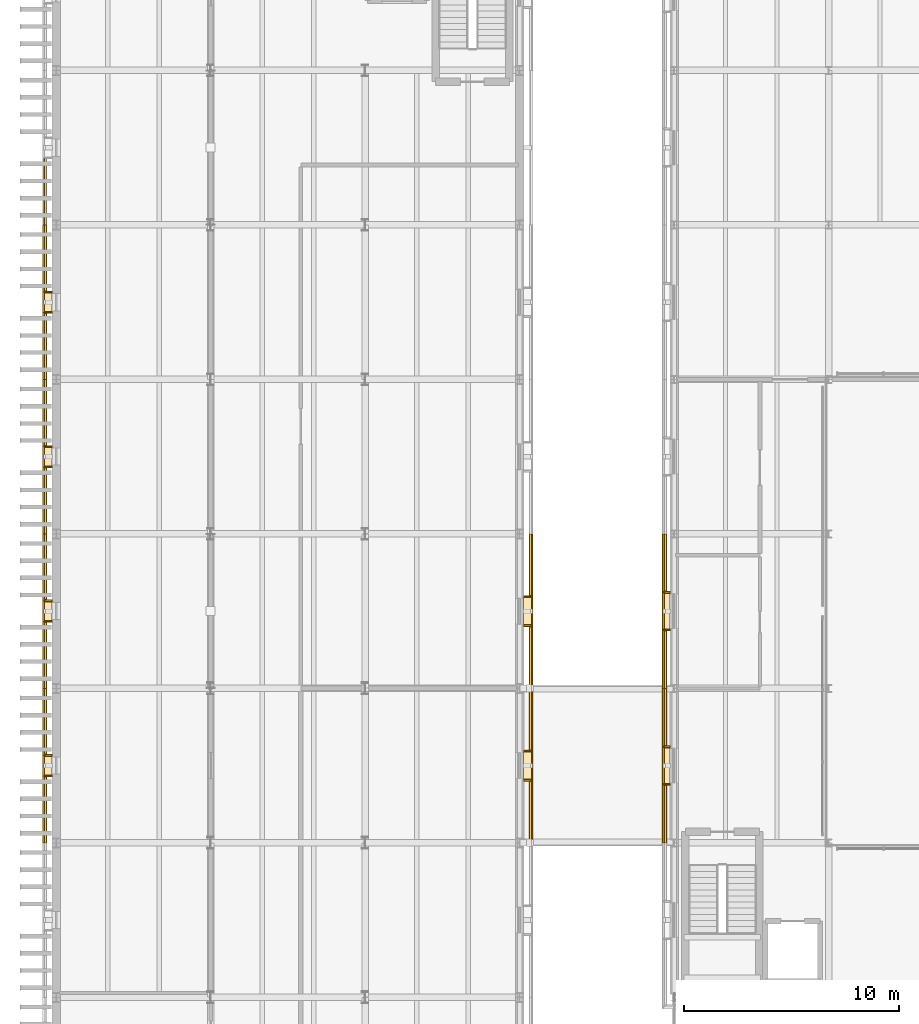
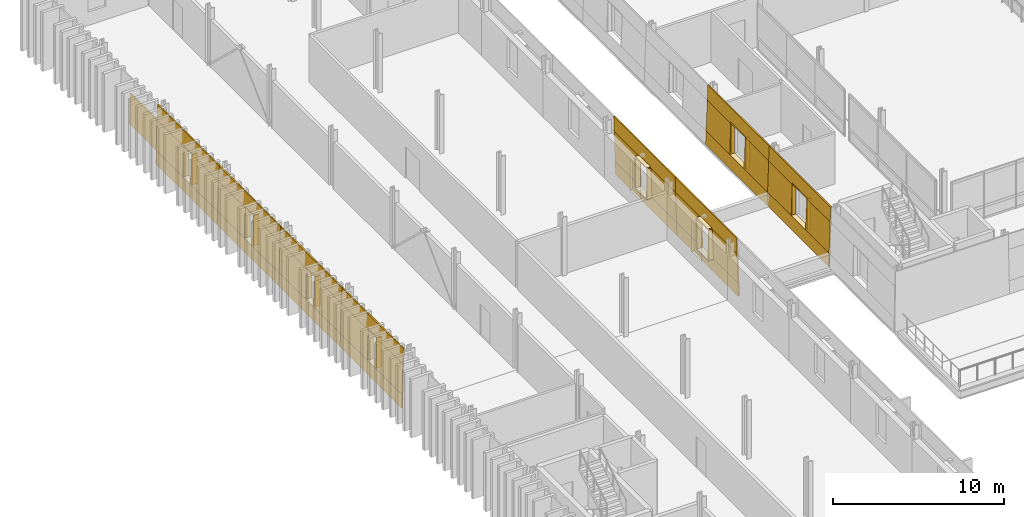
# One storey, part 80 of 91: 65 coverings.
"""IFC4 building model written with IfcOpenShell, lengths in metres."""

from ifc_helpers import new_model, si_unit, direction, frame, origin, place, context, subcontext, project, spatial, polyline, outline, extrude, material, layer, layer_set, type_object, element, save


model = new_model("IFC4")

# Units and contexts
model_context = context("Model", 3, precision=1e-05, world=origin(), true_north=direction((0.0, 1.0)))
body_context = subcontext(model_context, "Body", "Model", "MODEL_VIEW")
ifc_project = project(units=[si_unit("LENGTHUNIT", "METRE"), si_unit("AREAUNIT", "SQUARE_METRE"), si_unit("VOLUMEUNIT", "CUBIC_METRE"), si_unit("PLANEANGLEUNIT", "RADIAN"), si_unit("MASSUNIT", "GRAM", prefix="KILO")], contexts=[model_context])

# Site, building, storey
site_placement = place(None, origin())
site = spatial("IfcSite", under=ifc_project, at=site_placement, CompositionType="ELEMENT")
building_placement = place(site_placement, origin())
building = spatial("IfcBuilding", under=site, at=building_placement, Name="Narikvali Park Central Library", CompositionType="ELEMENT")
storey_placement = place(building_placement, frame((0.0, 0.0, 14.39990234375)))
storey = spatial("IfcBuildingStorey", under=building, at=storey_placement, Name="L03", CompositionType="ELEMENT", Elevation=14.39990234375)

# Coverings
ifc_material = material(Name="White Honed Limestone Cladding", Category="masonry")
ifc_layer_1 = layer(ifc_material, 0.0849609375, Name="White Honed Limestone Cladding")
ifc_layer_set_1 = layer_set([ifc_layer_1], Name="White Honed Limestone Cladding")
covering_type_1 = type_object("IfcCoveringType", Name="Battered White Limestone Facade Cladding Panel", PredefinedType="CLADDING", material=ifc_layer_set_1)
covering_1_placement = place(storey_placement, frame((28.2451171875, 79.199951171875, 0.0), z_axis=(-0.999434023877, 0.0, 0.033639737186), x_axis=(0.0, -1.0, 0.0)))
element("IfcCovering", 1, at=covering_1_placement, inside=storey, type_object=covering_type_1, Name="V4 L03 W Battered Limestone Spandrel B06", PredefinedType="CLADDING", context=body_context, shape_type="SweptSolid", body=[
    extrude(outline(polyline([(0.0, 0.0), (7.199951171875, 0.0), (7.199951171875, 0.9507334049069504), (0.0, 0.9507334049069504), (0.0, 0.0)])), origin(), (0.0, 0.0, -1.0), 0.0849609375),
])
covering_2_placement = place(storey_placement, frame((28.351318359375, 79.199951171875, 3.150146484375), z_axis=(-0.999439995942, 0.0, 0.033461836646), x_axis=(0.0, -1.0, 0.0)))
element("IfcCovering", 2, at=covering_2_placement, inside=storey, type_object=covering_type_1, Name="V4 L03 W Battered Limestone Lintel B06", PredefinedType="CLADDING", context=body_context, shape_type="SweptSolid", body=[
    extrude(outline(polyline([(0.0, 0.0), (7.199951171875, 0.0), (7.199951171875, 1.0506371892145967), (0.0, 1.0506371892145967), (0.0, 0.0)])), origin(), (0.0, 0.0, -1.0), 0.0849609375),
])
for number, where, z_axis, x_axis, name in (
    (3, (28.277099609375, 79.199951171875, 0.9501953125), (-0.999431408105, 0.0, 0.033717361898), (0.0, -1.0, 0.0), "V4 L03 W Battered Limestone Jamb Pier L B06"),
    (4, (28.277099609375, 74.760009765625, 0.9501953125), (-0.999431408105, 0.0, 0.033717361898), (0.0, -1.0, 0.0), "V4 L03 W Battered Limestone Jamb Pier R B06"),
):
    element("IfcCovering", number, at=place(storey_placement, frame(where, z_axis=z_axis, x_axis=x_axis)), inside=storey, type_object=covering_type_1, Name=name, PredefinedType="CLADDING", context=body_context, shape_type="SweptSolid", body=[
        extrude(outline(polyline([(0.0, 0.0), (2.760009765625, 0.0), (2.760009765625, 2.2012027579225295), (0.0, 2.2012027579225295), (0.0, 0.0)])), origin(), (0.0, 0.0, -1.0), 0.0849609375),
    ])
covering_3_placement = place(storey_placement, frame((28.2451171875, 72.0, 0.0), z_axis=(-0.999434023877, 0.0, 0.033639737186), x_axis=(0.0, -1.0, 0.0)))
element("IfcCovering", 5, at=covering_3_placement, inside=storey, type_object=covering_type_1, Name="V4 L03 W Battered Limestone Spandrel B07", PredefinedType="CLADDING", context=body_context, shape_type="SweptSolid", body=[
    extrude(outline(polyline([(0.0, 0.0), (7.199951171875, 0.0), (7.199951171875, 0.9507334049069504), (0.0, 0.9507334049069504), (0.0, 0.0)])), origin(), (0.0, 0.0, -1.0), 0.0849609375),
])
covering_4_placement = place(storey_placement, frame((28.351318359375, 72.0, 3.150146484375), z_axis=(-0.999439995942, 0.0, 0.033461836646), x_axis=(0.0, -1.0, 0.0)))
element("IfcCovering", 6, at=covering_4_placement, inside=storey, type_object=covering_type_1, Name="V4 L03 W Battered Limestone Lintel B07", PredefinedType="CLADDING", context=body_context, shape_type="SweptSolid", body=[
    extrude(outline(polyline([(0.0, 0.0), (7.199951171875, 0.0), (7.199951171875, 1.0506371892145967), (0.0, 1.0506371892145967), (0.0, 0.0)])), origin(), (0.0, 0.0, -1.0), 0.0849609375),
])
for number, where, z_axis, x_axis, name in (
    (7, (28.277099609375, 72.0, 0.9501953125), (-0.999431408105, 0.0, 0.033717361898), (0.0, -1.0, 0.0), "V4 L03 W Battered Limestone Jamb Pier L B07"),
    (8, (28.277099609375, 67.56005859375, 0.9501953125), (-0.999431408105, 0.0, 0.033717361898), (0.0, -1.0, 0.0), "V4 L03 W Battered Limestone Jamb Pier R B07"),
):
    element("IfcCovering", number, at=place(storey_placement, frame(where, z_axis=z_axis, x_axis=x_axis)), inside=storey, type_object=covering_type_1, Name=name, PredefinedType="CLADDING", context=body_context, shape_type="SweptSolid", body=[
        extrude(outline(polyline([(0.0, 0.0), (2.760009765625, 0.0), (2.760009765625, 2.2012027579225295), (0.0, 2.2012027579225295), (0.0, 0.0)])), origin(), (0.0, 0.0, -1.0), 0.0849609375),
    ])
covering_5_placement = place(storey_placement, frame((22.2314453125, 64.800048828125, 0.0), z_axis=(0.999600837605, 0.0, 0.028251822234), x_axis=(0.0, 1.0, 0.0)))
element("IfcCovering", 9, at=covering_5_placement, inside=storey, type_object=covering_type_1, Name="V5 L03 E Battered Limestone Spandrel B06", PredefinedType="CLADDING", context=body_context, shape_type="SweptSolid", body=[
    extrude(outline(polyline([(0.0, 0.0), (7.199951171875, 0.0), (7.199951171875, 0.9505747461924048), (0.0, 0.9505747461924048), (0.0, 0.0)])), origin(), (0.0, 0.0, -1.0), 0.0849609375),
])
covering_6_placement = place(storey_placement, frame((22.1435546875, 64.800048828125, 3.10009765625), z_axis=(0.999596777432, 0.0, 0.028395114849), x_axis=(0.0, 1.0, 0.0)))
element("IfcCovering", 10, at=covering_6_placement, inside=storey, type_object=covering_type_1, Name="V5 L03 E Battered Limestone Lintel B06", PredefinedType="CLADDING", context=body_context, shape_type="SweptSolid", body=[
    extrude(outline(polyline([(0.0, 0.0), (7.199951171875, 0.0), (7.199951171875, 1.1005414193871774), (0.0, 1.1005414193871774), (0.0, 0.0)])), origin(), (0.0, 0.0, -1.0), 0.0849609375),
])
for number, where, z_axis, x_axis, name in (
    (11, (22.20458984375, 64.800048828125, 0.9501953125), (0.99959725493, 0.0, 0.028378300447), (0.0, 1.0, 0.0), "V5 L03 E Battered Limestone Jamb Pier L B06"),
    (12, (22.20458984375, 69.0400390625, 0.9501953125), (0.99959725493, 0.0, 0.028378300447), (0.0, 1.0, 0.0), "V5 L03 E Battered Limestone Jamb Pier R B06"),
):
    element("IfcCovering", number, at=place(storey_placement, frame(where, z_axis=z_axis, x_axis=x_axis)), inside=storey, type_object=covering_type_1, Name=name, PredefinedType="CLADDING", context=body_context, shape_type="SweptSolid", body=[
        extrude(outline(polyline([(0.0, 0.0), (2.9599609375, 0.0), (2.9599609375, 2.150768555182125), (0.0, 2.150768555182125), (0.0, 0.0)])), origin(), (0.0, 0.0, -1.0), 0.0849609375),
    ])
covering_7_placement = place(storey_placement, frame((22.2314453125, 72.0, 0.0), z_axis=(0.999600837605, 0.0, 0.028251822234), x_axis=(0.0, 1.0, 0.0)))
element("IfcCovering", 13, at=covering_7_placement, inside=storey, type_object=covering_type_1, Name="V5 L03 E Battered Limestone Spandrel B07", PredefinedType="CLADDING", context=body_context, shape_type="SweptSolid", body=[
    extrude(outline(polyline([(0.0, 0.0), (7.199951171875, 0.0), (7.199951171875, 0.9505747461924048), (0.0, 0.9505747461924048), (0.0, 0.0)])), origin(), (0.0, 0.0, -1.0), 0.0849609375),
])
covering_8_placement = place(storey_placement, frame((22.1435546875, 72.0, 3.10009765625), z_axis=(0.999596777432, 0.0, 0.028395114849), x_axis=(0.0, 1.0, 0.0)))
element("IfcCovering", 14, at=covering_8_placement, inside=storey, type_object=covering_type_1, Name="V5 L03 E Battered Limestone Lintel B07", PredefinedType="CLADDING", context=body_context, shape_type="SweptSolid", body=[
    extrude(outline(polyline([(0.0, 0.0), (7.199951171875, 0.0), (7.199951171875, 1.1005414193871774), (0.0, 1.1005414193871774), (0.0, 0.0)])), origin(), (0.0, 0.0, -1.0), 0.0849609375),
])
for number, where, z_axis, x_axis, name in (
    (15, (22.20458984375, 72.0, 0.9501953125), (0.99959725493, 0.0, 0.028378300447), (0.0, 1.0, 0.0), "V5 L03 E Battered Limestone Jamb Pier L B07"),
    (16, (22.20458984375, 76.239990234375, 0.9501953125), (0.99959725493, 0.0, 0.028378300447), (0.0, 1.0, 0.0), "V5 L03 E Battered Limestone Jamb Pier R B07"),
):
    element("IfcCovering", number, at=place(storey_placement, frame(where, z_axis=z_axis, x_axis=x_axis)), inside=storey, type_object=covering_type_1, Name=name, PredefinedType="CLADDING", context=body_context, shape_type="SweptSolid", body=[
        extrude(outline(polyline([(0.0, 0.0), (2.9599609375, 0.0), (2.9599609375, 2.150768555182125), (0.0, 2.150768555182125), (0.0, 0.0)])), origin(), (0.0, 0.0, -1.0), 0.0849609375),
    ])
covering_9_placement = place(storey_placement, frame((-0.6044921875, 96.760009765625, 0.9501953125), z_axis=(-0.99959725493, 0.0, 0.028378300447), x_axis=(0.0, -1.0, 0.0)))
element("IfcCovering", 17, at=covering_9_placement, inside=storey, type_object=covering_type_1, Name="V5 L03 W Battered Limestone Jamb Pier R B02", PredefinedType="CLADDING", context=body_context, shape_type="SweptSolid", body=[
    extrude(outline(polyline([(0.0, 0.0), (3.159912109375, 0.0), (3.159912109375, 2.150768555182125), (0.0, 2.150768555182125), (0.0, 0.0)])), origin(), (0.0, 0.0, -1.0), 0.0849609375),
])
covering_10_placement = place(storey_placement, frame((-0.631591796875, 93.60009765625, 0.0), z_axis=(-0.999593551562, 0.0, 0.028508449184), x_axis=(0.0, -1.0, 0.0)))
element("IfcCovering", 18, at=covering_10_placement, inside=storey, type_object=covering_type_1, Name="V5 L03 W Battered Limestone Spandrel B03", PredefinedType="CLADDING", context=body_context, shape_type="SweptSolid", body=[
    extrude(outline(polyline([(0.0, 0.0), (7.2001953125, 0.0), (7.2001953125, 0.9505816749365887), (0.0, 0.9505816749365887), (0.0, 0.0)])), origin(), (0.0, 0.0, -1.0), 0.0849609375),
])
covering_11_placement = place(storey_placement, frame((-0.54345703125, 93.60009765625, 3.10009765625), z_axis=(-0.999596777432, 0.0, 0.028395114849), x_axis=(0.0, -1.0, 0.0)))
element("IfcCovering", 19, at=covering_11_placement, inside=storey, type_object=covering_type_1, Name="V5 L03 W Battered Limestone Lintel B03", PredefinedType="CLADDING", context=body_context, shape_type="SweptSolid", body=[
    extrude(outline(polyline([(0.0, 0.0), (7.2001953125, 0.0), (7.2001953125, 1.1005414193871774), (0.0, 1.1005414193871774), (0.0, 0.0)])), origin(), (0.0, 0.0, -1.0), 0.0849609375),
])
for number, where, z_axis, x_axis, name in (
    (20, (-0.6044921875, 93.60009765625, 0.9501953125), (-0.99959725493, 0.0, 0.028378300447), (0.0, -1.0, 0.0), "V5 L03 W Battered Limestone Jamb Pier L B03"),
    (21, (-0.6044921875, 89.56005859375, 0.9501953125), (-0.99959725493, 0.0, 0.028378300447), (0.0, -1.0, 0.0), "V5 L03 W Battered Limestone Jamb Pier R B03"),
):
    element("IfcCovering", number, at=place(storey_placement, frame(where, z_axis=z_axis, x_axis=x_axis)), inside=storey, type_object=covering_type_1, Name=name, PredefinedType="CLADDING", context=body_context, shape_type="SweptSolid", body=[
        extrude(outline(polyline([(0.0, 0.0), (3.16015625, 0.0), (3.16015625, 2.150768555182125), (0.0, 2.150768555182125), (0.0, 0.0)])), origin(), (0.0, 0.0, -1.0), 0.0849609375),
    ])
covering_12_placement = place(storey_placement, frame((-0.631591796875, 86.39990234375, 0.0), z_axis=(-0.999593551562, 0.0, 0.028508449184), x_axis=(0.0, -1.0, 0.0)))
element("IfcCovering", 22, at=covering_12_placement, inside=storey, type_object=covering_type_1, Name="V5 L03 W Battered Limestone Spandrel B04", PredefinedType="CLADDING", context=body_context, shape_type="SweptSolid", body=[
    extrude(outline(polyline([(0.0, 0.0), (7.199951171875, 0.0), (7.199951171875, 0.9505816749365887), (0.0, 0.9505816749365887), (0.0, 0.0)])), origin(), (0.0, 0.0, -1.0), 0.0849609375),
])
covering_13_placement = place(storey_placement, frame((-0.54345703125, 86.39990234375, 3.10009765625), z_axis=(-0.999596777432, 0.0, 0.028395114849), x_axis=(0.0, -1.0, 0.0)))
element("IfcCovering", 23, at=covering_13_placement, inside=storey, type_object=covering_type_1, Name="V5 L03 W Battered Limestone Lintel B04", PredefinedType="CLADDING", context=body_context, shape_type="SweptSolid", body=[
    extrude(outline(polyline([(0.0, 0.0), (7.199951171875, 0.0), (7.199951171875, 1.1005414193871774), (0.0, 1.1005414193871774), (0.0, 0.0)])), origin(), (0.0, 0.0, -1.0), 0.0849609375),
])
covering_14_placement = place(storey_placement, frame((-0.6044921875, 86.39990234375, 0.9501953125), z_axis=(-0.99959725493, 0.0, 0.028378300447), x_axis=(0.0, -1.0, 0.0)))
element("IfcCovering", 24, at=covering_14_placement, inside=storey, type_object=covering_type_1, Name="V5 L03 W Battered Limestone Jamb Pier L B04", PredefinedType="CLADDING", context=body_context, shape_type="SweptSolid", body=[
    extrude(outline(polyline([(0.0, 0.0), (3.159912109375, 0.0), (3.159912109375, 2.150768555182125), (0.0, 2.150768555182125), (0.0, 0.0)])), origin(), (0.0, 0.0, -1.0), 0.0849609375),
])
covering_15_placement = place(storey_placement, frame((-0.6044921875, 82.360107421875, 0.9501953125), z_axis=(-0.99959725493, 0.0, 0.028378300447), x_axis=(0.0, -1.0, 0.0)))
element("IfcCovering", 25, at=covering_15_placement, inside=storey, type_object=covering_type_1, Name="V5 L03 W Battered Limestone Jamb Pier R B04", PredefinedType="CLADDING", context=body_context, shape_type="SweptSolid", body=[
    extrude(outline(polyline([(0.0, 0.0), (3.16015625, 0.0), (3.16015625, 2.150768555182125), (0.0, 2.150768555182125), (0.0, 0.0)])), origin(), (0.0, 0.0, -1.0), 0.0849609375),
])
covering_16_placement = place(storey_placement, frame((-0.631591796875, 79.199951171875, 0.0), z_axis=(-0.999593551562, 0.0, 0.028508449184), x_axis=(0.0, -1.0, 0.0)))
element("IfcCovering", 26, at=covering_16_placement, inside=storey, type_object=covering_type_1, Name="V5 L03 W Battered Limestone Spandrel B05", PredefinedType="CLADDING", context=body_context, shape_type="SweptSolid", body=[
    extrude(outline(polyline([(0.0, 0.0), (7.199951171875, 0.0), (7.199951171875, 0.9505816749365887), (0.0, 0.9505816749365887), (0.0, 0.0)])), origin(), (0.0, 0.0, -1.0), 0.0849609375),
])
covering_17_placement = place(storey_placement, frame((-0.54345703125, 79.199951171875, 3.10009765625), z_axis=(-0.999596777432, 0.0, 0.028395114849), x_axis=(0.0, -1.0, 0.0)))
element("IfcCovering", 27, at=covering_17_placement, inside=storey, type_object=covering_type_1, Name="V5 L03 W Battered Limestone Lintel B05", PredefinedType="CLADDING", context=body_context, shape_type="SweptSolid", body=[
    extrude(outline(polyline([(0.0, 0.0), (7.199951171875, 0.0), (7.199951171875, 1.1005414193871774), (0.0, 1.1005414193871774), (0.0, 0.0)])), origin(), (0.0, 0.0, -1.0), 0.0849609375),
])
for number, where, z_axis, x_axis, name in (
    (28, (-0.6044921875, 79.199951171875, 0.9501953125), (-0.99959725493, 0.0, 0.028378300447), (0.0, -1.0, 0.0), "V5 L03 W Battered Limestone Jamb Pier L B05"),
    (29, (-0.6044921875, 75.159912109375, 0.9501953125), (-0.99959725493, 0.0, 0.028378300447), (0.0, -1.0, 0.0), "V5 L03 W Battered Limestone Jamb Pier R B05"),
):
    element("IfcCovering", number, at=place(storey_placement, frame(where, z_axis=z_axis, x_axis=x_axis)), inside=storey, type_object=covering_type_1, Name=name, PredefinedType="CLADDING", context=body_context, shape_type="SweptSolid", body=[
        extrude(outline(polyline([(0.0, 0.0), (3.159912109375, 0.0), (3.159912109375, 2.150768555182125), (0.0, 2.150768555182125), (0.0, 0.0)])), origin(), (0.0, 0.0, -1.0), 0.0849609375),
    ])
covering_18_placement = place(storey_placement, frame((-0.631591796875, 72.0, 0.0), z_axis=(-0.999593551562, 0.0, 0.028508449184), x_axis=(0.0, -1.0, 0.0)))
element("IfcCovering", 30, at=covering_18_placement, inside=storey, type_object=covering_type_1, Name="V5 L03 W Battered Limestone Spandrel B06", PredefinedType="CLADDING", context=body_context, shape_type="SweptSolid", body=[
    extrude(outline(polyline([(0.0, 0.0), (7.199951171875, 0.0), (7.199951171875, 0.9505816749365887), (0.0, 0.9505816749365887), (0.0, 0.0)])), origin(), (0.0, 0.0, -1.0), 0.0849609375),
])
covering_19_placement = place(storey_placement, frame((-0.54345703125, 72.0, 3.10009765625), z_axis=(-0.999596777432, 0.0, 0.028395114849), x_axis=(0.0, -1.0, 0.0)))
element("IfcCovering", 31, at=covering_19_placement, inside=storey, type_object=covering_type_1, Name="V5 L03 W Battered Limestone Lintel B06", PredefinedType="CLADDING", context=body_context, shape_type="SweptSolid", body=[
    extrude(outline(polyline([(0.0, 0.0), (7.199951171875, 0.0), (7.199951171875, 1.1005414193871774), (0.0, 1.1005414193871774), (0.0, 0.0)])), origin(), (0.0, 0.0, -1.0), 0.0849609375),
])
for number, where, z_axis, x_axis, name in (
    (32, (-0.6044921875, 72.0, 0.9501953125), (-0.99959725493, 0.0, 0.028378300447), (0.0, -1.0, 0.0), "V5 L03 W Battered Limestone Jamb Pier L B06"),
    (33, (-0.6044921875, 67.9599609375, 0.9501953125), (-0.99959725493, 0.0, 0.028378300447), (0.0, -1.0, 0.0), "V5 L03 W Battered Limestone Jamb Pier R B06"),
):
    element("IfcCovering", number, at=place(storey_placement, frame(where, z_axis=z_axis, x_axis=x_axis)), inside=storey, type_object=covering_type_1, Name=name, PredefinedType="CLADDING", context=body_context, shape_type="SweptSolid", body=[
        extrude(outline(polyline([(0.0, 0.0), (3.159912109375, 0.0), (3.159912109375, 2.150768555182125), (0.0, 2.150768555182125), (0.0, 0.0)])), origin(), (0.0, 0.0, -1.0), 0.0849609375),
    ])
ifc_layer_2 = layer(ifc_material, 0.080078125, Name="White Honed Limestone Cladding")
ifc_layer_set_2 = layer_set([ifc_layer_2], Name="White Honed Limestone Cladding")
covering_type_2 = type_object("IfcCoveringType", Name="Deep Carved White Limestone Window Reveal", PredefinedType="CLADDING", material=ifc_layer_set_2)
covering_20_placement = place(storey_placement, frame((0.0, 0.0, 3.150146484375)))
element("IfcCovering", 34, at=covering_20_placement, inside=storey, type_object=covering_type_2, Name="Deep Stone Reveal Head V4-RVL-L03-W-B06", PredefinedType="CLADDING", context=body_context, shape_type="SweptSolid", body=[
    extrude(outline(polyline([(28.614990234375, 76.47998046875), (28.614990234375, 74.719970703125), (28.351318359375, 74.719970703125), (28.351318359375, 76.47998046875), (28.614990234375, 76.47998046875)])), origin(), (0.0, 0.0, 1.0), 0.079833984375),
])
covering_21_placement = place(storey_placement, frame((0.0, 0.0, 0.8701171875)))
element("IfcCovering", 35, at=covering_21_placement, inside=storey, type_object=covering_type_2, Name="Deep Stone Reveal Sill V4-RVL-L03-W-B06", PredefinedType="CLADDING", context=body_context, shape_type="SweptSolid", body=[
    extrude(outline(polyline([(28.614990234375, 76.47998046875), (28.614990234375, 74.719970703125), (28.277099609375, 74.719970703125), (28.277099609375, 76.47998046875), (28.614990234375, 76.47998046875)])), origin(), (0.0, 0.0, 1.0), 0.080078125),
])
covering_22_placement = place(storey_placement, frame((0.0, 0.0, 0.9501953125)))
element("IfcCovering", 36, at=covering_22_placement, inside=storey, type_object=covering_type_2, Name="Deep Stone Reveal Jamb L V4-RVL-L03-W-B06", PredefinedType="CLADDING", context=body_context, shape_type="SweptSolid", body=[
    extrude(outline(polyline([(28.614990234375, 76.52001953125), (28.614990234375, 76.43994140625), (28.351318359375, 76.43994140625), (28.351318359375, 76.52001953125), (28.614990234375, 76.52001953125)])), origin(), (0.0, 0.0, 1.0), 2.199951171875),
])
covering_23_placement = place(storey_placement, frame((0.0, 0.0, 0.9501953125)))
element("IfcCovering", 37, at=covering_23_placement, inside=storey, type_object=covering_type_2, Name="Deep Stone Reveal Jamb R V4-RVL-L03-W-B06", PredefinedType="CLADDING", context=body_context, shape_type="SweptSolid", body=[
    extrude(outline(polyline([(28.614990234375, 74.760009765625), (28.614990234375, 74.679931640625), (28.351318359375, 74.679931640625), (28.351318359375, 74.760009765625), (28.614990234375, 74.760009765625)])), origin(), (0.0, 0.0, 1.0), 2.199951171875),
])
covering_24_placement = place(storey_placement, frame((0.0, 0.0, 3.150146484375)))
element("IfcCovering", 38, at=covering_24_placement, inside=storey, type_object=covering_type_2, Name="Deep Stone Reveal Head V4-RVL-L03-W-B07", PredefinedType="CLADDING", context=body_context, shape_type="SweptSolid", body=[
    extrude(outline(polyline([(28.614990234375, 69.280029296875), (28.614990234375, 67.52001953125), (28.351318359375, 67.52001953125), (28.351318359375, 69.280029296875), (28.614990234375, 69.280029296875)])), origin(), (0.0, 0.0, 1.0), 0.079833984375),
])
covering_25_placement = place(storey_placement, frame((0.0, 0.0, 0.8701171875)))
element("IfcCovering", 39, at=covering_25_placement, inside=storey, type_object=covering_type_2, Name="Deep Stone Reveal Sill V4-RVL-L03-W-B07", PredefinedType="CLADDING", context=body_context, shape_type="SweptSolid", body=[
    extrude(outline(polyline([(28.614990234375, 69.280029296875), (28.614990234375, 67.52001953125), (28.277099609375, 67.52001953125), (28.277099609375, 69.280029296875), (28.614990234375, 69.280029296875)])), origin(), (0.0, 0.0, 1.0), 0.080078125),
])
covering_26_placement = place(storey_placement, frame((0.0, 0.0, 0.9501953125)))
element("IfcCovering", 40, at=covering_26_placement, inside=storey, type_object=covering_type_2, Name="Deep Stone Reveal Jamb L V4-RVL-L03-W-B07", PredefinedType="CLADDING", context=body_context, shape_type="SweptSolid", body=[
    extrude(outline(polyline([(28.614990234375, 69.320068359375), (28.614990234375, 69.239990234375), (28.351318359375, 69.239990234375), (28.351318359375, 69.320068359375), (28.614990234375, 69.320068359375)])), origin(), (0.0, 0.0, 1.0), 2.199951171875),
])
covering_27_placement = place(storey_placement, frame((0.0, 0.0, 0.9501953125)))
element("IfcCovering", 41, at=covering_27_placement, inside=storey, type_object=covering_type_2, Name="Deep Stone Reveal Jamb R V4-RVL-L03-W-B07", PredefinedType="CLADDING", context=body_context, shape_type="SweptSolid", body=[
    extrude(outline(polyline([(28.614990234375, 67.56005859375), (28.614990234375, 67.47998046875), (28.351318359375, 67.47998046875), (28.351318359375, 67.56005859375), (28.614990234375, 67.56005859375)])), origin(), (0.0, 0.0, 1.0), 2.199951171875),
])
covering_28_placement = place(storey_placement, frame((0.0, 0.0, 3.10009765625)))
element("IfcCovering", 42, at=covering_28_placement, inside=storey, type_object=covering_type_2, Name="Deep Stone Reveal Head V5-RVL-L03-E-B06", PredefinedType="CLADDING", context=body_context, shape_type="SweptSolid", body=[
    extrude(outline(polyline([(21.784912109375, 67.719970703125), (21.784912109375, 69.080078125), (22.1435546875, 69.080078125), (22.1435546875, 67.719970703125), (21.784912109375, 67.719970703125)])), origin(), (0.0, 0.0, 1.0), 0.080078125),
])
covering_29_placement = place(storey_placement, frame((0.0, 0.0, 0.8701171875)))
element("IfcCovering", 43, at=covering_29_placement, inside=storey, type_object=covering_type_2, Name="Deep Stone Reveal Sill V5-RVL-L03-E-B06", PredefinedType="CLADDING", context=body_context, shape_type="SweptSolid", body=[
    extrude(outline(polyline([(21.784912109375, 67.719970703125), (21.784912109375, 69.080078125), (22.20458984375, 69.080078125), (22.20458984375, 67.719970703125), (21.784912109375, 67.719970703125)])), origin(), (0.0, 0.0, 1.0), 0.080078125),
])
covering_30_placement = place(storey_placement, frame((0.0, 0.0, 0.9501953125)))
element("IfcCovering", 44, at=covering_30_placement, inside=storey, type_object=covering_type_2, Name="Deep Stone Reveal Jamb L V5-RVL-L03-E-B06", PredefinedType="CLADDING", context=body_context, shape_type="SweptSolid", body=[
    extrude(outline(polyline([(21.784912109375, 67.679931640625), (21.784912109375, 67.760009765625), (22.1435546875, 67.760009765625), (22.1435546875, 67.679931640625), (21.784912109375, 67.679931640625)])), origin(), (0.0, 0.0, 1.0), 2.14990234375),
])
covering_31_placement = place(storey_placement, frame((0.0, 0.0, 0.9501953125)))
element("IfcCovering", 45, at=covering_31_placement, inside=storey, type_object=covering_type_2, Name="Deep Stone Reveal Jamb R V5-RVL-L03-E-B06", PredefinedType="CLADDING", context=body_context, shape_type="SweptSolid", body=[
    extrude(outline(polyline([(21.784912109375, 69.0400390625), (21.784912109375, 69.1201171875), (22.1435546875, 69.1201171875), (22.1435546875, 69.0400390625), (21.784912109375, 69.0400390625)])), origin(), (0.0, 0.0, 1.0), 2.14990234375),
])
covering_32_placement = place(storey_placement, frame((0.0, 0.0, 3.10009765625)))
element("IfcCovering", 46, at=covering_32_placement, inside=storey, type_object=covering_type_2, Name="Deep Stone Reveal Head V5-RVL-L03-E-B07", PredefinedType="CLADDING", context=body_context, shape_type="SweptSolid", body=[
    extrude(outline(polyline([(21.784912109375, 74.919921875), (21.784912109375, 76.280029296875), (22.1435546875, 76.280029296875), (22.1435546875, 74.919921875), (21.784912109375, 74.919921875)])), origin(), (0.0, 0.0, 1.0), 0.080078125),
])
covering_33_placement = place(storey_placement, frame((0.0, 0.0, 0.8701171875)))
element("IfcCovering", 47, at=covering_33_placement, inside=storey, type_object=covering_type_2, Name="Deep Stone Reveal Sill V5-RVL-L03-E-B07", PredefinedType="CLADDING", context=body_context, shape_type="SweptSolid", body=[
    extrude(outline(polyline([(21.784912109375, 74.919921875), (21.784912109375, 76.280029296875), (22.20458984375, 76.280029296875), (22.20458984375, 74.919921875), (21.784912109375, 74.919921875)])), origin(), (0.0, 0.0, 1.0), 0.080078125),
])
covering_34_placement = place(storey_placement, frame((0.0, 0.0, 0.9501953125)))
element("IfcCovering", 48, at=covering_34_placement, inside=storey, type_object=covering_type_2, Name="Deep Stone Reveal Jamb L V5-RVL-L03-E-B07", PredefinedType="CLADDING", context=body_context, shape_type="SweptSolid", body=[
    extrude(outline(polyline([(21.784912109375, 74.8798828125), (21.784912109375, 74.9599609375), (22.1435546875, 74.9599609375), (22.1435546875, 74.8798828125), (21.784912109375, 74.8798828125)])), origin(), (0.0, 0.0, 1.0), 2.14990234375),
])
covering_35_placement = place(storey_placement, frame((0.0, 0.0, 0.9501953125)))
element("IfcCovering", 49, at=covering_35_placement, inside=storey, type_object=covering_type_2, Name="Deep Stone Reveal Jamb R V5-RVL-L03-E-B07", PredefinedType="CLADDING", context=body_context, shape_type="SweptSolid", body=[
    extrude(outline(polyline([(21.784912109375, 76.239990234375), (21.784912109375, 76.320068359375), (22.1435546875, 76.320068359375), (22.1435546875, 76.239990234375), (21.784912109375, 76.239990234375)])), origin(), (0.0, 0.0, 1.0), 2.14990234375),
])
covering_36_placement = place(storey_placement, frame((0.0, 0.0, 3.10009765625)))
element("IfcCovering", 50, at=covering_36_placement, inside=storey, type_object=covering_type_2, Name="Deep Stone Reveal Head V5-RVL-L03-W-B03", PredefinedType="CLADDING", context=body_context, shape_type="SweptSolid", body=[
    extrude(outline(polyline([(-0.18505859375, 90.47998046875), (-0.18505859375, 89.52001953125), (-0.54345703125, 89.52001953125), (-0.54345703125, 90.47998046875), (-0.18505859375, 90.47998046875)])), origin(), (0.0, 0.0, 1.0), 0.080078125),
])
covering_37_placement = place(storey_placement, frame((0.0, 0.0, 0.8701171875)))
element("IfcCovering", 51, at=covering_37_placement, inside=storey, type_object=covering_type_2, Name="Deep Stone Reveal Sill V5-RVL-L03-W-B03", PredefinedType="CLADDING", context=body_context, shape_type="SweptSolid", body=[
    extrude(outline(polyline([(-0.18505859375, 90.47998046875), (-0.18505859375, 89.52001953125), (-0.6044921875, 89.52001953125), (-0.6044921875, 90.47998046875), (-0.18505859375, 90.47998046875)])), origin(), (0.0, 0.0, 1.0), 0.080078125),
])
covering_38_placement = place(storey_placement, frame((0.0, 0.0, 0.9501953125)))
element("IfcCovering", 52, at=covering_38_placement, inside=storey, type_object=covering_type_2, Name="Deep Stone Reveal Jamb L V5-RVL-L03-W-B03", PredefinedType="CLADDING", context=body_context, shape_type="SweptSolid", body=[
    extrude(outline(polyline([(-0.18505859375, 90.52001953125), (-0.18505859375, 90.43994140625), (-0.54345703125, 90.43994140625), (-0.54345703125, 90.52001953125), (-0.18505859375, 90.52001953125)])), origin(), (0.0, 0.0, 1.0), 2.14990234375),
])
covering_39_placement = place(storey_placement, frame((0.0, 0.0, 0.9501953125)))
element("IfcCovering", 53, at=covering_39_placement, inside=storey, type_object=covering_type_2, Name="Deep Stone Reveal Jamb R V5-RVL-L03-W-B03", PredefinedType="CLADDING", context=body_context, shape_type="SweptSolid", body=[
    extrude(outline(polyline([(-0.18505859375, 89.56005859375), (-0.18505859375, 89.47998046875), (-0.54345703125, 89.47998046875), (-0.54345703125, 89.56005859375), (-0.18505859375, 89.56005859375)])), origin(), (0.0, 0.0, 1.0), 2.14990234375),
])
covering_40_placement = place(storey_placement, frame((0.0, 0.0, 3.10009765625)))
element("IfcCovering", 54, at=covering_40_placement, inside=storey, type_object=covering_type_2, Name="Deep Stone Reveal Head V5-RVL-L03-W-B04", PredefinedType="CLADDING", context=body_context, shape_type="SweptSolid", body=[
    extrude(outline(polyline([(-0.18505859375, 83.280029296875), (-0.18505859375, 82.320068359375), (-0.54345703125, 82.320068359375), (-0.54345703125, 83.280029296875), (-0.18505859375, 83.280029296875)])), origin(), (0.0, 0.0, 1.0), 0.080078125),
])
covering_41_placement = place(storey_placement, frame((0.0, 0.0, 0.8701171875)))
element("IfcCovering", 55, at=covering_41_placement, inside=storey, type_object=covering_type_2, Name="Deep Stone Reveal Sill V5-RVL-L03-W-B04", PredefinedType="CLADDING", context=body_context, shape_type="SweptSolid", body=[
    extrude(outline(polyline([(-0.18505859375, 83.280029296875), (-0.18505859375, 82.320068359375), (-0.6044921875, 82.320068359375), (-0.6044921875, 83.280029296875), (-0.18505859375, 83.280029296875)])), origin(), (0.0, 0.0, 1.0), 0.080078125),
])
covering_42_placement = place(storey_placement, frame((0.0, 0.0, 0.9501953125)))
element("IfcCovering", 56, at=covering_42_placement, inside=storey, type_object=covering_type_2, Name="Deep Stone Reveal Jamb L V5-RVL-L03-W-B04", PredefinedType="CLADDING", context=body_context, shape_type="SweptSolid", body=[
    extrude(outline(polyline([(-0.18505859375, 83.320068359375), (-0.18505859375, 83.239990234375), (-0.54345703125, 83.239990234375), (-0.54345703125, 83.320068359375), (-0.18505859375, 83.320068359375)])), origin(), (0.0, 0.0, 1.0), 2.14990234375),
])
covering_43_placement = place(storey_placement, frame((0.0, 0.0, 0.9501953125)))
element("IfcCovering", 57, at=covering_43_placement, inside=storey, type_object=covering_type_2, Name="Deep Stone Reveal Jamb R V5-RVL-L03-W-B04", PredefinedType="CLADDING", context=body_context, shape_type="SweptSolid", body=[
    extrude(outline(polyline([(-0.18505859375, 82.360107421875), (-0.18505859375, 82.280029296875), (-0.54345703125, 82.280029296875), (-0.54345703125, 82.360107421875), (-0.18505859375, 82.360107421875)])), origin(), (0.0, 0.0, 1.0), 2.14990234375),
])
covering_44_placement = place(storey_placement, frame((0.0, 0.0, 3.10009765625)))
element("IfcCovering", 58, at=covering_44_placement, inside=storey, type_object=covering_type_2, Name="Deep Stone Reveal Head V5-RVL-L03-W-B05", PredefinedType="CLADDING", context=body_context, shape_type="SweptSolid", body=[
    extrude(outline(polyline([(-0.18505859375, 76.080078125), (-0.18505859375, 75.1201171875), (-0.54345703125, 75.1201171875), (-0.54345703125, 76.080078125), (-0.18505859375, 76.080078125)])), origin(), (0.0, 0.0, 1.0), 0.080078125),
])
covering_45_placement = place(storey_placement, frame((0.0, 0.0, 0.8701171875)))
element("IfcCovering", 59, at=covering_45_placement, inside=storey, type_object=covering_type_2, Name="Deep Stone Reveal Sill V5-RVL-L03-W-B05", PredefinedType="CLADDING", context=body_context, shape_type="SweptSolid", body=[
    extrude(outline(polyline([(-0.18505859375, 76.080078125), (-0.18505859375, 75.1201171875), (-0.6044921875, 75.1201171875), (-0.6044921875, 76.080078125), (-0.18505859375, 76.080078125)])), origin(), (0.0, 0.0, 1.0), 0.080078125),
])
covering_46_placement = place(storey_placement, frame((0.0, 0.0, 0.9501953125)))
element("IfcCovering", 60, at=covering_46_placement, inside=storey, type_object=covering_type_2, Name="Deep Stone Reveal Jamb L V5-RVL-L03-W-B05", PredefinedType="CLADDING", context=body_context, shape_type="SweptSolid", body=[
    extrude(outline(polyline([(-0.18505859375, 76.1201171875), (-0.18505859375, 76.0400390625), (-0.54345703125, 76.0400390625), (-0.54345703125, 76.1201171875), (-0.18505859375, 76.1201171875)])), origin(), (0.0, 0.0, 1.0), 2.14990234375),
])
covering_47_placement = place(storey_placement, frame((0.0, 0.0, 0.9501953125)))
element("IfcCovering", 61, at=covering_47_placement, inside=storey, type_object=covering_type_2, Name="Deep Stone Reveal Jamb R V5-RVL-L03-W-B05", PredefinedType="CLADDING", context=body_context, shape_type="SweptSolid", body=[
    extrude(outline(polyline([(-0.18505859375, 75.159912109375), (-0.18505859375, 75.080078125), (-0.54345703125, 75.080078125), (-0.54345703125, 75.159912109375), (-0.18505859375, 75.159912109375)])), origin(), (0.0, 0.0, 1.0), 2.14990234375),
])
covering_48_placement = place(storey_placement, frame((0.0, 0.0, 3.10009765625)))
element("IfcCovering", 62, at=covering_48_placement, inside=storey, type_object=covering_type_2, Name="Deep Stone Reveal Head V5-RVL-L03-W-B06", PredefinedType="CLADDING", context=body_context, shape_type="SweptSolid", body=[
    extrude(outline(polyline([(-0.18505859375, 68.8798828125), (-0.18505859375, 67.919921875), (-0.54345703125, 67.919921875), (-0.54345703125, 68.8798828125), (-0.18505859375, 68.8798828125)])), origin(), (0.0, 0.0, 1.0), 0.080078125),
])
covering_49_placement = place(storey_placement, frame((0.0, 0.0, 0.8701171875)))
element("IfcCovering", 63, at=covering_49_placement, inside=storey, type_object=covering_type_2, Name="Deep Stone Reveal Sill V5-RVL-L03-W-B06", PredefinedType="CLADDING", context=body_context, shape_type="SweptSolid", body=[
    extrude(outline(polyline([(-0.18505859375, 68.8798828125), (-0.18505859375, 67.919921875), (-0.6044921875, 67.919921875), (-0.6044921875, 68.8798828125), (-0.18505859375, 68.8798828125)])), origin(), (0.0, 0.0, 1.0), 0.080078125),
])
covering_50_placement = place(storey_placement, frame((0.0, 0.0, 0.9501953125)))
element("IfcCovering", 64, at=covering_50_placement, inside=storey, type_object=covering_type_2, Name="Deep Stone Reveal Jamb L V5-RVL-L03-W-B06", PredefinedType="CLADDING", context=body_context, shape_type="SweptSolid", body=[
    extrude(outline(polyline([(-0.18505859375, 68.919921875), (-0.18505859375, 68.840087890625), (-0.54345703125, 68.840087890625), (-0.54345703125, 68.919921875), (-0.18505859375, 68.919921875)])), origin(), (0.0, 0.0, 1.0), 2.14990234375),
])
covering_51_placement = place(storey_placement, frame((0.0, 0.0, 0.9501953125)))
element("IfcCovering", 65, at=covering_51_placement, inside=storey, type_object=covering_type_2, Name="Deep Stone Reveal Jamb R V5-RVL-L03-W-B06", PredefinedType="CLADDING", context=body_context, shape_type="SweptSolid", body=[
    extrude(outline(polyline([(-0.18505859375, 67.9599609375), (-0.18505859375, 67.8798828125), (-0.54345703125, 67.8798828125), (-0.54345703125, 67.9599609375), (-0.18505859375, 67.9599609375)])), origin(), (0.0, 0.0, 1.0), 2.14990234375),
])

save(model, "model.ifc")
